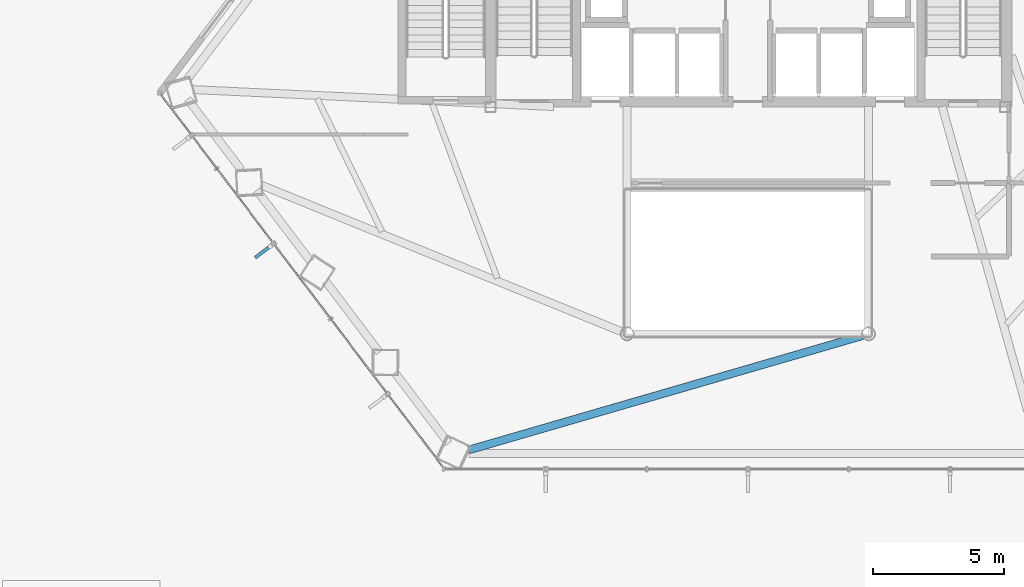
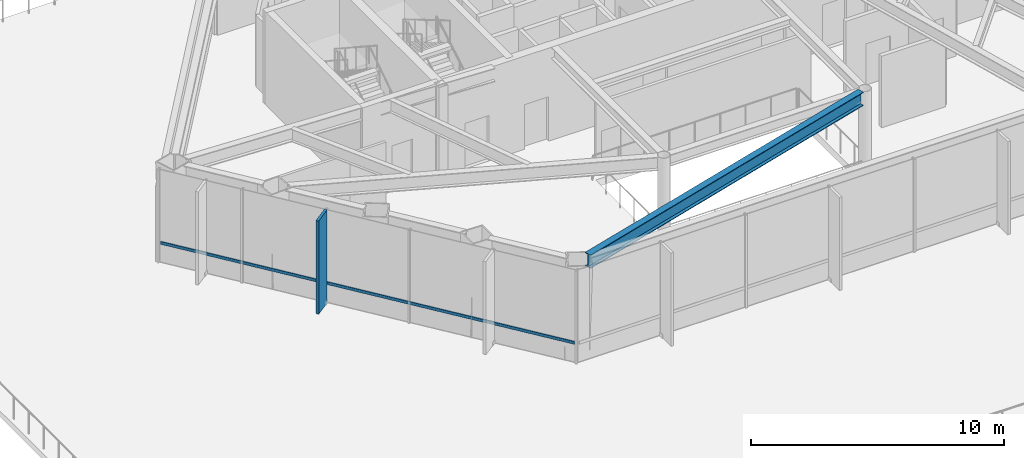
# One storey, part 3 of 30: 2 members, 1 beam, 1 element without a shape of its own.
"""IFC4 building model written with IfcOpenShell, lengths in metres."""

from ifc_helpers import new_model, si_unit, direction, frame, origin, origin_2d, place, context, subcontext, project, spatial, rectangle, hollow_rectangle, i_section, extrude, material, layer, layer_set, material_profile, profile_set, type_object, element, aggregate, save


model = new_model("IFC4")

# Units and contexts
model_context = context("Model", 3, precision=1e-05, world=origin(), true_north=direction((0.0, 1.0)))
body_context = subcontext(model_context, "Body", "Model", "MODEL_VIEW")
ifc_project = project(units=[si_unit("LENGTHUNIT", "METRE"), si_unit("AREAUNIT", "SQUARE_METRE"), si_unit("VOLUMEUNIT", "CUBIC_METRE"), si_unit("PLANEANGLEUNIT", "RADIAN"), si_unit("MASSUNIT", "GRAM", prefix="KILO")], contexts=[model_context])

# Site, building, storey
site_placement = place(None, origin())
site = spatial("IfcSite", under=ifc_project, at=site_placement, CompositionType="ELEMENT")
building_placement = place(site_placement, origin())
building = spatial("IfcBuilding", under=site, at=building_placement, Name="Zarrinselat Tower", CompositionType="ELEMENT")
storey_placement = place(building_placement, frame((0.0, 0.0, 22.780029296875)))
storey = spatial("IfcBuildingStorey", under=building, at=storey_placement, Name="L05", CompositionType="ELEMENT", Elevation=22.780029296875)

# Beam
ifc_material_1 = material(Name="Steel S355J2", Category="steel")
ifc_material_profile_1 = material_profile(ifc_material_1, i_section(OverallWidth=0.300048828125, OverallDepth=0.64990234375, WebThickness=0.01611328125, FlangeThickness=0.031005859375, at=origin_2d()), Name="HEB 650")
ifc_profile_set_1 = profile_set([ifc_material_profile_1], Name="Steel S355J2")
beam_type = type_object("IfcBeamType", Name="BM-HEB650", PredefinedType="BEAM", material=ifc_profile_set_1)
beam_placement = place(storey_placement, frame((27.773681640625, 19.980224609375, 4.175048828125), z_axis=(0.960359468461, 0.278764580494, 0.0), x_axis=(-0.278764580494, 0.960359468461, 0.0)))
element("IfcBeam", 1, at=beam_placement, inside=storey, type_object=beam_type, Name="L05 Radial Primary Girder RG10", PredefinedType="BEAM", context=body_context, shape_type="SweptSolid", body=[
    extrude(i_section(OverallWidth=0.300048828125, OverallDepth=0.64990234375, WebThickness=0.01611328125, FlangeThickness=0.031005859375, at=origin_2d()), origin(), (0.0, 0.0, 1.0), 15.60498046875),
])

# Curtain wall, members
ifc_material_2 = material(Name="Extruded Aluminium Alloy EN AW-6063 T6", Category="aluminium")
ifc_layer = layer(ifc_material_2, 0.195068359375)
ifc_layer_set = layer_set([ifc_layer], Name="Extruded Aluminium Alloy EN AW-6063 T6")
curtain_wall_type = type_object("IfcCurtainWallType", Name="CWS-GDN", PredefinedType="NOTDEFINED", material=ifc_layer_set)
curtain_wall_placement = place(storey_placement, origin())
curtain_wall = element("IfcCurtainWall", 2, at=curtain_wall_placement, inside=storey, type_object=curtain_wall_type, Name="L05 Unitised Curtain Wall CW-L05-E03", PredefinedType="NOTDEFINED")
ifc_material_3 = material(Name="Extruded Aluminium Alloy EN AW-6063 T6", Category="aluminium")
ifc_material_profile_2 = material_profile(ifc_material_3, hollow_rectangle(XDim=0.06005859375, YDim=0.139892578125, WallThickness=0.00390625, at=origin_2d()), Name="RHS 140x60x4")
ifc_profile_set_2 = profile_set([ifc_material_profile_2], Name="Extruded Aluminium Alloy EN AW-6063 T6")
member_type_1 = type_object("IfcMemberType", Name="MEM-CW-TRN", PredefinedType="USERDEFINED", material=ifc_profile_set_2)
member_1_placement = place(storey_placement, frame((16.05419921875, 33.496337890625, 0.949951171875), z_axis=(0.603857952245, -0.797091947965, 0.0), x_axis=(0.797091947965, 0.603857952245, 0.0)))
member_1 = element("IfcMember", 3, at=member_1_placement, type_object=member_type_1, Name="CW-L05-E03 Transom 1", ObjectType="TRANSOM", PredefinedType="USERDEFINED", context=body_context, shape_type="SweptSolid", body=[
    extrude(hollow_rectangle(XDim=0.06005859375, YDim=0.139892578125, WallThickness=0.00390625, at=origin_2d()), origin(), (0.0, 0.0, 1.0), 17.7880859375),
])
ifc_material_4 = material(Name="Honed Cream Travertine Stone", Category="masonry")
ifc_material_profile_3 = material_profile(ifc_material_4, rectangle(XDim=0.1201171875, YDim=0.85009765625, at=origin_2d()), Name="FIN 850x120")
ifc_profile_set_3 = profile_set([ifc_material_profile_3], Name="Honed Cream Travertine Stone")
member_type_2 = type_object("IfcMemberType", Name="MEM-STONE-FIN", PredefinedType="USERDEFINED", material=ifc_profile_set_3)
member_2_placement = place(storey_placement, frame((19.973388671875, 27.561279296875, 0.0), z_axis=(0.0, 0.0, 1.0), x_axis=(-0.603857687995, 0.797092148154, 0.0)))
member_2 = element("IfcMember", 4, at=member_2_placement, type_object=member_type_2, Name="L05 Stone Shading Fin CW-L05-E03-03", ObjectType="FIN", PredefinedType="USERDEFINED", context=body_context, shape_type="SweptSolid", body=[
    extrude(rectangle(XDim=0.1201171875, YDim=0.85009765625, at=origin_2d()), origin(), (0.0, 0.0, 1.0), 4.5),
])
aggregate(curtain_wall, [member_2, member_1])

save(model, "model.ifc")
